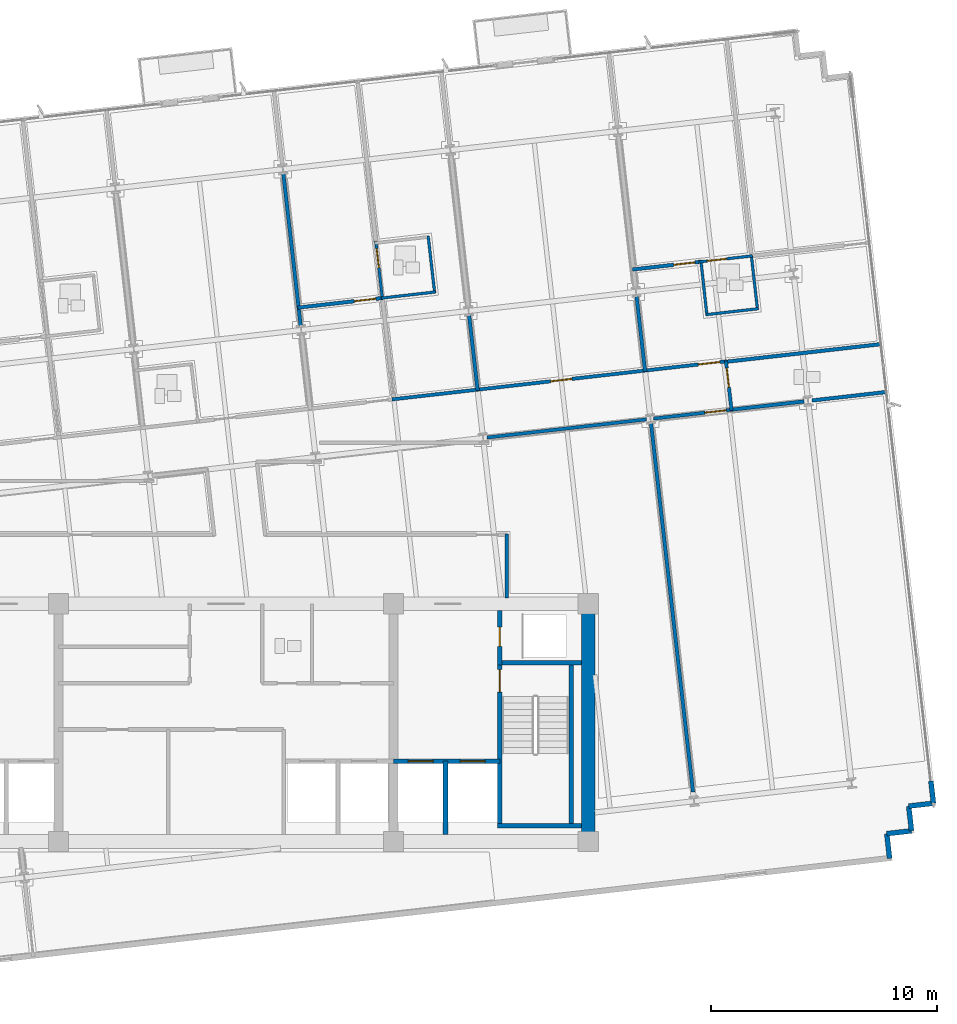
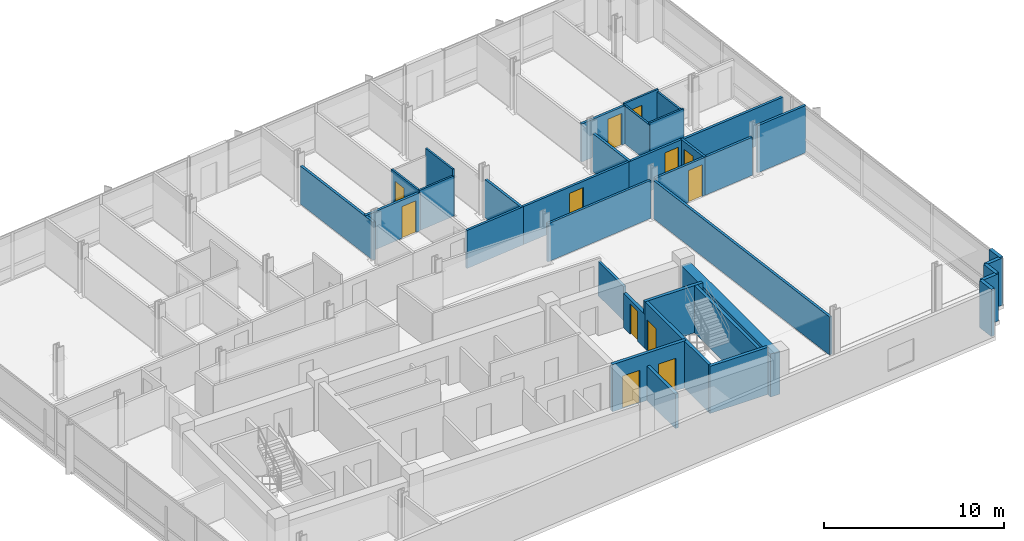
# One storey, part 10 of 16: 36 walls, 12 doors, 12 openings.
"""IFC4 building model written with IfcOpenShell, lengths in metres."""

from ifc_helpers import new_model, si_unit, direction, frame, frame_2d, origin, place, context, subcontext, project, spatial, rectangle, extrude, material, layer, layer_set, type_object, element, fill, save


model = new_model("IFC4")

# Units and contexts
model_context = context("Model", 3, precision=1e-05, world=origin(), true_north=direction((0.0, 1.0)))
body_context = subcontext(model_context, "Body", "Model", "MODEL_VIEW")
ifc_project = project(units=[si_unit("LENGTHUNIT", "METRE"), si_unit("AREAUNIT", "SQUARE_METRE"), si_unit("VOLUMEUNIT", "CUBIC_METRE"), si_unit("PLANEANGLEUNIT", "RADIAN"), si_unit("MASSUNIT", "GRAM", prefix="KILO")], contexts=[model_context])

# Site, building, storey
site_placement = place(None, origin())
site = spatial("IfcSite", under=ifc_project, at=site_placement, CompositionType="ELEMENT")
building_placement = place(site_placement, origin())
building = spatial("IfcBuilding", under=site, at=building_placement, Name="Solmavex Isthmus Hotel", CompositionType="ELEMENT")
storey_placement = place(building_placement, frame((0.0, 0.0, 205.5)))
storey = spatial("IfcBuildingStorey", under=building, at=storey_placement, Name="L55", CompositionType="ELEMENT", Elevation=205.5)

# Walls
ifc_material_1 = material(Name="Precast Concrete C40/50", Category="concrete")
ifc_layer_1 = layer(ifc_material_1, 0.25)
ifc_layer_set_1 = layer_set([ifc_layer_1], Name="Precast Concrete C40/50")
wall_type_1 = type_object("IfcWallType", Name="EW-TWR-250", PredefinedType="STANDARD", material=ifc_layer_set_1)
wall_1_placement = place(storey_placement, frame((31.1474609375, -10.328125, 0.0), z_axis=(0.0, 0.0, 1.0), x_axis=(0.113191877531, -0.993573147212, 0.0)))
element("IfcWall", 1, at=wall_1_placement, inside=storey, type_object=wall_type_1, Name="Serrated Corner Facade Panel L55-21", PredefinedType="STANDARD", context=body_context, shape_type="SweptSolid", body=[
    extrude(rectangle(XDim=0.989990234375, YDim=0.219970703125, at=frame_2d((0.4951171875, 0.0))), origin(), (0.0, 0.0, 1.0), 3.18994140625),
])
wall_2_placement = place(storey_placement, frame((31.259521484375, -11.311767578125, 0.0), z_axis=(0.0, 0.0, 1.0), x_axis=(-0.99357409499, -0.113183557839, 0.0)))
element("IfcWall", 2, at=wall_2_placement, inside=storey, type_object=wall_type_1, Name="Serrated Corner Facade Panel L55-22", PredefinedType="STANDARD", context=body_context, shape_type="SweptSolid", body=[
    extrude(rectangle(XDim=1.10009765625, YDim=0.219970703125, at=frame_2d((0.550048828125, 0.0))), origin(), (0.0, 0.0, 1.0), 3.18994140625),
])
wall_3_placement = place(storey_placement, frame((30.16650390625, -11.436279296875, 0.0), z_axis=(0.0, 0.0, 1.0), x_axis=(0.113427644885, -0.993546259303, 0.0)))
element("IfcWall", 3, at=wall_3_placement, inside=storey, type_object=wall_type_1, Name="Serrated Corner Facade Panel L55-23", PredefinedType="STANDARD", context=body_context, shape_type="SweptSolid", body=[
    extrude(rectangle(XDim=1.099853515625, YDim=0.219970703125, at=frame_2d((0.5498046875, 0.0))), origin(), (0.0, 0.0, 1.0), 3.18994140625),
])
for number, where, z_axis, x_axis, name in (
    (4, (30.291259765625, -12.529052734375, 0.0), (0.0, 0.0, 1.0), (-0.99357409499, -0.113183557839, 0.0), "Serrated Corner Facade Panel L55-24"),
    (5, (29.1982421875, -12.653564453125, 0.0), (0.0, 0.0, 1.0), (0.113183557839, -0.99357409499, 0.0), "Serrated Corner Facade Panel L55-25"),
):
    element("IfcWall", number, at=place(storey_placement, frame(where, z_axis=z_axis, x_axis=x_axis)), inside=storey, type_object=wall_type_1, Name=name, PredefinedType="STANDARD", context=body_context, shape_type="SweptSolid", body=[
        extrude(rectangle(XDim=1.10009765625, YDim=0.219970703125, at=frame_2d((0.550048828125, 0.0))), origin(), (0.0, 0.0, 1.0), 3.18994140625),
    ])
ifc_material_2 = material(Name="Gypsum plasterboard lining", Category="gypsum")
ifc_layer_2 = layer(ifc_material_2, 0.159912109375)
ifc_layer_set_2 = layer_set([ifc_layer_2], Name="Gypsum plasterboard lining")
wall_type_2 = type_object("IfcWallType", Name="IW-COMP-160", PredefinedType="PARTITIONING", material=ifc_layer_set_2)
wall_4_placement = place(storey_placement, frame((2.533203125, 16.529052734375, 0.0), z_axis=(0.0, 0.0, 1.0), x_axis=(0.11321341463, -0.993570693382, 0.0)))
element("IfcWall", 6, at=wall_4_placement, inside=storey, type_object=wall_type_2, Name="Interior Partition Wall W-L55-P042", PredefinedType="PARTITIONING", context=body_context, shape_type="SweptSolid", body=[
    extrude(rectangle(XDim=6.79931640625, YDim=0.159912109375, at=frame_2d((3.399658203125, 0.0))), origin(), (0.0, 0.0, 1.0), 2.572265625),
])

# Wall, opening, door
wall_5_placement = place(storey_placement, frame((3.169921875, 10.587158203125, 0.0), z_axis=(0.0, 0.0, 1.0), x_axis=(0.993567388358, 0.113242416041, 0.0)))
wall_5 = element("IfcWall", 7, at=wall_5_placement, inside=storey, type_object=wall_type_2, Name="Interior Partition Wall W-L55-P045", PredefinedType="PARTITIONING", context=body_context, shape_type="SweptSolid", body=[
    extrude(rectangle(XDim=3.802978515625, YDim=0.159912109375, at=frame_2d((1.9013671875, 0.0))), origin(), (0.0, 0.0, 1.0), 2.572265625),
])
opening_1_placement = place(wall_5_placement, frame((2.52099609375, 0.0, 0.0)))
opening_1 = element("IfcOpeningElement", 8, at=opening_1_placement, cuts=wall_5, Name="Opening ID-C095", PredefinedType="OPENING", context=body_context, shape_type="SweptSolid", body=[
    extrude(rectangle(XDim=0.949951171875, YDim=2.14990234375, at=frame_2d((0.47509765625, 1.074951171875))), frame((0.0, 0.08984375, 0.0), z_axis=(0.0, -1.0, 0.0), x_axis=(1.0, 0.0, 0.0)), (0.0, 0.0, 1.0), 0.179931640625),
])
ifc_material_3 = material(Name="Hardwood timber", Category="wood")
door_type_1 = type_object("IfcDoorType", Name="IDR-FD60-0950", OperationType="NOTDEFINED", PredefinedType="DOOR", material=ifc_material_3)
door_1_placement = place(opening_1_placement, origin())
door_1 = element("IfcDoor", 9, at=door_1_placement, inside=storey, type_object=door_type_1, Name="Diplomatic Suite Master Bedroom Door L55-09", OperationType="SINGLE_SWING_LEFT", OverallHeight=2.14990234375, OverallWidth=0.949951171875, PredefinedType="DOOR", context=body_context, shape_type="SweptSolid", body=[
    extrude(rectangle(XDim=0.949951171875, YDim=2.14990234375, at=frame_2d((0.47509765625, 1.074951171875))), frame((0.0, 0.02490234375, 0.0), z_axis=(0.0, -1.0, 0.0), x_axis=(1.0, 0.0, 0.0)), (0.0, 0.0, 1.0), 0.050048828125),
])
fill(opening_1, door_1)

# Walls
wall_6_placement = place(storey_placement, frame((10.740966796875, 10.265869140625, 0.0), z_axis=(0.0, 0.0, 1.0), x_axis=(0.113220917918, -0.993569838384, 0.0)))
element("IfcWall", 10, at=wall_6_placement, inside=storey, type_object=wall_type_2, Name="Interior Partition Wall W-L55-P054", PredefinedType="PARTITIONING", context=body_context, shape_type="SweptSolid", body=[
    extrude(rectangle(XDim=3.36181640625, YDim=0.159912109375, at=frame_2d((1.680908203125, 0.0))), origin(), (0.0, 0.0, 1.0), 2.572265625),
])
wall_7_placement = place(storey_placement, frame((18.13916015625, 11.108642578125, 0.0), z_axis=(0.0, 0.0, 1.0), x_axis=(0.113229088195, -0.993568907317, 0.0)))
element("IfcWall", 11, at=wall_7_placement, inside=storey, type_object=wall_type_2, Name="Interior Partition Wall W-L55-P056", PredefinedType="PARTITIONING", context=body_context, shape_type="SweptSolid", body=[
    extrude(rectangle(XDim=3.361572265625, YDim=0.159912109375, at=frame_2d((1.6806640625, 0.0))), origin(), (0.0, 0.0, 1.0), 2.572265625),
])

# Wall, opening, door
wall_8_placement = place(storey_placement, frame((17.96630859375, 12.27294921875, 0.0), z_axis=(0.0, 0.0, 1.0), x_axis=(0.993571907495, 0.113202758961, 0.0)))
wall_8 = element("IfcWall", 12, at=wall_8_placement, inside=storey, type_object=wall_type_2, Name="Interior Partition Wall W-L55-P058", PredefinedType="PARTITIONING", context=body_context, shape_type="SweptSolid", body=[
    extrude(rectangle(XDim=3.083984375, YDim=0.159912109375, at=frame_2d((1.5419921875, 0.0))), origin(), (0.0, 0.0, 1.0), 2.572265625),
])
opening_2_placement = place(wall_8_placement, frame((1.823974609375, 0.0, 0.0)))
opening_2 = element("IfcOpeningElement", 13, at=opening_2_placement, cuts=wall_8, Name="Opening ID-C095", PredefinedType="OPENING", context=body_context, shape_type="SweptSolid", body=[
    extrude(rectangle(XDim=0.949951171875, YDim=2.14990234375, at=frame_2d((0.47509765625, 1.074951171875))), frame((0.0, 0.08984375, 0.0), z_axis=(0.0, -1.0, 0.0), x_axis=(1.0, 0.0, 0.0)), (0.0, 0.0, 1.0), 0.179931640625),
])
door_2_placement = place(opening_2_placement, origin())
door_2 = element("IfcDoor", 14, at=door_2_placement, inside=storey, type_object=door_type_1, Name="Diplomatic Hospitality Suite Bedroom Door L55-14", OperationType="SINGLE_SWING_RIGHT", OverallHeight=2.14990234375, OverallWidth=0.949951171875, PredefinedType="DOOR", context=body_context, shape_type="SweptSolid", body=[
    extrude(rectangle(XDim=0.949951171875, YDim=2.14990234375, at=frame_2d((0.47509765625, 1.074951171875))), frame((0.0, 0.02490234375, 0.0), z_axis=(0.0, -1.0, 0.0), x_axis=(1.0, 0.0, 0.0)), (0.0, 0.0, 1.0), 0.050048828125),
])
fill(opening_2, door_2)

# Walls
wall_9_placement = place(storey_placement, frame((28.977783203125, 8.98046875, 0.0), z_axis=(0.0, 0.0, 1.0), x_axis=(-0.993571800428, -0.113203698681, 0.0)))
element("IfcWall", 15, at=wall_9_placement, inside=storey, type_object=wall_type_2, Name="Interior Partition Wall W-L55-P063", PredefinedType="PARTITIONING", context=body_context, shape_type="SweptSolid", body=[
    extrude(rectangle(XDim=6.968017578125, YDim=0.159912109375, at=frame_2d((3.48388671875, 0.0))), origin(), (0.0, 0.0, 1.0), 2.5576171875),
])
wall_10_placement = place(storey_placement, frame((25.546142578125, 6.44580078125, 0.0), z_axis=(0.0, 0.0, 1.0), x_axis=(-0.993568592225, -0.113231853041, 0.0)))
element("IfcWall", 16, at=wall_10_placement, inside=storey, type_object=wall_type_2, Name="Interior Partition Wall W-L55-P068", PredefinedType="PARTITIONING", context=body_context, shape_type="SweptSolid", body=[
    extrude(rectangle(XDim=3.281494140625, YDim=0.159912109375, at=frame_2d((1.640625, 0.0))), origin(), (0.0, 0.0, 1.0), 2.572265625),
])
wall_11_placement = place(storey_placement, frame((29.21875, 6.864013671875, 0.0), z_axis=(0.0, 0.0, 1.0), x_axis=(-0.993574498496, -0.113180015629, 0.0)))
element("IfcWall", 17, at=wall_11_placement, inside=storey, type_object=wall_type_2, Name="Interior Partition Wall W-L55-P069", PredefinedType="PARTITIONING", context=body_context, shape_type="SweptSolid", body=[
    extrude(rectangle(XDim=3.343505859375, YDim=0.159912109375, at=frame_2d((1.671875, 0.0))), origin(), (0.0, 0.0, 1.0), 3.18994140625),
])
wall_12_placement = place(storey_placement, frame((18.778564453125, 5.4970703125, 0.0), z_axis=(0.0, 0.0, 1.0), x_axis=(0.113193364489, -0.993572977811, 0.0)))
element("IfcWall", 18, at=wall_12_placement, inside=storey, type_object=wall_type_2, Name="Interior Partition Wall W-L55-P073", PredefinedType="PARTITIONING", context=body_context, shape_type="SweptSolid", body=[
    extrude(rectangle(XDim=16.41357421875, YDim=0.159912109375, at=frame_2d((8.206787109375, 0.0))), origin(), (0.0, 0.0, 1.0), 2.572265625),
])
ifc_layer_3 = layer(ifc_material_2, 0.14990234375)
ifc_layer_set_3 = layer_set([ifc_layer_3], Name="Gypsum plasterboard lining")
wall_type_3 = type_object("IfcWallType", Name="IW-CORR-150", PredefinedType="PARTITIONING", material=ifc_layer_set_3)
wall_13_placement = place(storey_placement, frame((7.33642578125, 6.534912109375, 0.0), z_axis=(0.0, 0.0, 1.0), x_axis=(0.993574309552, 0.113181674304, 0.0)))
element("IfcWall", 19, at=wall_13_placement, inside=storey, type_object=wall_type_3, Name="Interior Partition Wall W-L55-P007", PredefinedType="PARTITIONING", context=body_context, shape_type="SweptSolid", body=[
    extrude(rectangle(XDim=3.886962890625, YDim=0.14990234375, at=frame_2d((1.943359375, 0.0))), origin(), (0.0, 0.0, 1.0), 2.572265625),
])

# Wall, opening, door
wall_14_placement = place(storey_placement, frame((11.03564453125, 6.956298828125, 0.0), z_axis=(0.0, 0.0, 1.0), x_axis=(0.993570360949, 0.113216332056, 0.0)))
wall_14 = element("IfcWall", 20, at=wall_14_placement, inside=storey, type_object=wall_type_3, Name="Interior Partition Wall W-L55-P008", PredefinedType="PARTITIONING", context=body_context, shape_type="SweptSolid", body=[
    extrude(rectangle(XDim=7.60986328125, YDim=0.14990234375, at=frame_2d((3.804931640625, 0.0))), origin(), (0.0, 0.0, 1.0), 2.572265625),
])
opening_3_placement = place(wall_14_placement, frame((3.330078125, 0.0, 0.0)))
opening_3 = element("IfcOpeningElement", 21, at=opening_3_placement, cuts=wall_14, Name="Opening ID-C095", PredefinedType="OPENING", context=body_context, shape_type="SweptSolid", body=[
    extrude(rectangle(XDim=0.949951171875, YDim=2.14990234375, at=frame_2d((0.47509765625, 1.074951171875))), frame((0.0, 0.0849609375, 0.0), z_axis=(0.0, -1.0, 0.0), x_axis=(1.0, 0.0, 0.0)), (0.0, 0.0, 1.0), 0.169921875),
])
door_3_placement = place(opening_3_placement, origin())
door_3 = element("IfcDoor", 22, at=door_3_placement, inside=storey, type_object=door_type_1, Name="Summit Dining Room Door L55-12", OperationType="SINGLE_SWING_RIGHT", OverallHeight=2.14990234375, OverallWidth=0.949951171875, PredefinedType="DOOR", context=body_context, shape_type="SweptSolid", body=[
    extrude(rectangle(XDim=0.949951171875, YDim=2.14990234375, at=frame_2d((0.47509765625, 1.074951171875))), frame((0.0, 0.02490234375, 0.0), z_axis=(0.0, -1.0, 0.0), x_axis=(1.0, 0.0, 0.0)), (0.0, 0.0, 1.0), 0.050048828125),
])
fill(opening_3, door_3)

wall_15_placement = place(storey_placement, frame((18.43359375, 7.79931640625, 0.0), z_axis=(0.0, 0.0, 1.0), x_axis=(0.993578468541, 0.11314515832, 0.0)))
wall_15 = element("IfcWall", 23, at=wall_15_placement, inside=storey, type_object=wall_type_3, Name="Interior Partition Wall W-L55-P009", PredefinedType="PARTITIONING", context=body_context, shape_type="SweptSolid", body=[
    extrude(rectangle(XDim=3.72216796875, YDim=0.14990234375, at=frame_2d((1.861083984375, 0.0))), origin(), (0.0, 0.0, 1.0), 2.572265625),
])
opening_4_placement = place(wall_15_placement, frame((2.456787109375, 0.0, 0.0)))
opening_4 = element("IfcOpeningElement", 24, at=opening_4_placement, cuts=wall_15, Name="Opening ID-C095", PredefinedType="OPENING", context=body_context, shape_type="SweptSolid", body=[
    extrude(rectangle(XDim=0.949951171875, YDim=2.14990234375, at=frame_2d((0.47509765625, 1.074951171875))), frame((0.0, 0.0849609375, 0.0), z_axis=(0.0, -1.0, 0.0), x_axis=(1.0, 0.0, 0.0)), (0.0, 0.0, 1.0), 0.169921875),
])
door_4_placement = place(opening_4_placement, origin())
door_4 = element("IfcDoor", 25, at=door_4_placement, inside=storey, type_object=door_type_1, Name="Diplomatic Hospitality Suite Reception Foyer Door L55-13", OperationType="SINGLE_SWING_LEFT", OverallHeight=2.14990234375, OverallWidth=0.949951171875, PredefinedType="DOOR", context=body_context, shape_type="SweptSolid", body=[
    extrude(rectangle(XDim=0.949951171875, YDim=2.14990234375, at=frame_2d((0.47509765625, 1.074951171875))), frame((0.0, 0.02490234375, 0.0), z_axis=(0.0, -1.0, 0.0), x_axis=(1.0, 0.0, 0.0)), (0.0, 0.0, 1.0), 0.050048828125),
])
fill(opening_4, door_4)

wall_16_placement = place(storey_placement, frame((22.08984375, 8.23583984375, 0.0), z_axis=(0.0, 0.0, 1.0), x_axis=(0.113122854389, -0.993581008179, 0.0)))
wall_16 = element("IfcWall", 26, at=wall_16_placement, inside=storey, type_object=wall_type_3, Name="Interior Partition Wall W-L55-P011", PredefinedType="PARTITIONING", context=body_context, shape_type="SweptSolid", body=[
    extrude(rectangle(XDim=2.2099609375, YDim=0.14990234375, at=frame_2d((1.10498046875, 0.0))), origin(), (0.0, 0.0, 1.0), 2.572265625),
])
opening_5_placement = place(wall_16_placement, frame((0.322265625, 0.0, 0.0)))
opening_5 = element("IfcOpeningElement", 27, at=opening_5_placement, cuts=wall_16, Name="Opening ID-R085", PredefinedType="OPENING", context=body_context, shape_type="SweptSolid", body=[
    extrude(rectangle(XDim=0.85009765625, YDim=2.050048828125, at=frame_2d((0.425048828125, 1.02490234375))), frame((0.0, 0.0849609375, 0.0), z_axis=(0.0, -1.0, 0.0), x_axis=(1.0, 0.0, 0.0)), (0.0, 0.0, 1.0), 0.169921875),
])
ifc_material_4 = material(Name="Steel ASTM A500 Grade C", Category="steel")
door_type_2 = type_object("IfcDoorType", Name="IDR-FD60-0850", OperationType="NOTDEFINED", PredefinedType="DOOR", material=ifc_material_4)
door_5_placement = place(opening_5_placement, frame((0.85009765625, 0.0, 0.0), z_axis=(0.0, 0.0, 1.0), x_axis=(-1.0, 0.0, 0.0)))
door_5 = element("IfcDoor", 28, at=door_5_placement, inside=storey, type_object=door_type_2, Name="Public Restroom WC Door L55-18", OperationType="SINGLE_SWING_RIGHT", OverallHeight=2.050048828125, OverallWidth=0.85009765625, PredefinedType="DOOR", context=body_context, shape_type="SweptSolid", body=[
    extrude(rectangle(XDim=0.85009765625, YDim=2.050048828125, at=frame_2d((0.425048828125, 1.02490234375))), frame((0.0, 0.02490234375, 0.0), z_axis=(0.0, -1.0, 0.0), x_axis=(1.0, 0.0, 0.0)), (0.0, 0.0, 1.0), 0.050048828125),
])
fill(opening_5, door_5)

# Walls
wall_17_placement = place(storey_placement, frame((18.583251953125, 5.65234375, 0.0), z_axis=(0.0, 0.0, 1.0), x_axis=(-0.993571775172, -0.113203920343, 0.0)))
element("IfcWall", 29, at=wall_17_placement, inside=storey, type_object=wall_type_3, Name="Interior Partition Wall W-L55-P019", PredefinedType="PARTITIONING", context=body_context, shape_type="SweptSolid", body=[
    extrude(rectangle(XDim=7.09326171875, YDim=0.14990234375, at=frame_2d((3.546630859375, 0.0))), origin(), (0.0, 0.0, 1.0), 2.572265625),
])
wall_18_placement = place(storey_placement, frame((12.39990234375, 0.590087890625, 0.0), z_axis=(0.0, 0.0, 1.0), x_axis=(0.0, -1.0, 0.0)))
element("IfcWall", 30, at=wall_18_placement, inside=storey, type_object=wall_type_3, Name="Interior Partition Wall W-L55-P024", PredefinedType="PARTITIONING", context=body_context, shape_type="SweptSolid", body=[
    extrude(rectangle(XDim=2.830078125, YDim=0.14990234375, at=frame_2d((1.4150390625, 0.0))), origin(), (0.0, 0.0, 1.0), 2.324951171875),
])

# Wall, opening, door
wall_19_placement = place(storey_placement, frame((22.375244140625, 6.08447265625, 0.0), z_axis=(0.0, 0.0, 1.0), x_axis=(-0.993568982909, -0.113228424882, 0.0)))
wall_19 = element("IfcWall", 31, at=wall_19_placement, inside=storey, type_object=wall_type_3, Name="Interior Partition Wall W-L55-P025", PredefinedType="PARTITIONING", context=body_context, shape_type="SweptSolid", body=[
    extrude(rectangle(XDim=3.505859375, YDim=0.14990234375, at=frame_2d((1.7529296875, 0.0))), origin(), (0.0, 0.0, 1.0), 2.572265625),
])
opening_6_placement = place(wall_19_placement, frame((0.270751953125, 0.0, 0.0)))
opening_6 = element("IfcOpeningElement", 32, at=opening_6_placement, cuts=wall_19, Name="Opening ID-C095", PredefinedType="OPENING", context=body_context, shape_type="SweptSolid", body=[
    extrude(rectangle(XDim=0.949951171875, YDim=2.14990234375, at=frame_2d((0.47509765625, 1.074951171875))), frame((0.0, 0.0849609375, 0.0), z_axis=(0.0, -1.0, 0.0), x_axis=(1.0, 0.0, 0.0)), (0.0, 0.0, 1.0), 0.169921875),
])
door_6_placement = place(opening_6_placement, origin())
door_6 = element("IfcDoor", 33, at=door_6_placement, inside=storey, type_object=door_type_1, Name="Protocol Boardroom Door L55-24", OperationType="SINGLE_SWING_RIGHT", OverallHeight=2.14990234375, OverallWidth=0.949951171875, PredefinedType="DOOR", context=body_context, shape_type="SweptSolid", body=[
    extrude(rectangle(XDim=0.949951171875, YDim=2.14990234375, at=frame_2d((0.47509765625, 1.074951171875))), frame((0.0, 0.02490234375, 0.0), z_axis=(0.0, -1.0, 0.0), x_axis=(1.0, 0.0, 0.0)), (0.0, 0.0, 1.0), 0.050048828125),
])
fill(opening_6, door_6)

ifc_layer_4 = layer(ifc_material_2, 0.1201171875)
ifc_layer_set_4 = layer_set([ifc_layer_4], Name="Gypsum plasterboard lining")
wall_type_4 = type_object("IfcWallType", Name="IW-PART-120", PredefinedType="PARTITIONING", material=ifc_layer_set_4)
wall_20_placement = place(storey_placement, frame((6.6220703125, 13.529052734375, 0.0), z_axis=(0.0, 0.0, 1.0), x_axis=(0.113233389532, -0.993568417118, 0.0)))
wall_20 = element("IfcWall", 34, at=wall_20_placement, inside=storey, type_object=wall_type_4, Name="Interior Partition Wall W-L55-P048", PredefinedType="PARTITIONING", context=body_context, shape_type="SweptSolid", body=[
    extrude(rectangle(XDim=2.572265625, YDim=0.1201171875, at=frame_2d((1.2861328125, 0.0))), origin(), (0.0, 0.0, 1.0), 2.718017578125),
])
opening_7_placement = place(wall_20_placement, frame((0.337646484375, 0.0, 0.0)))
opening_7 = element("IfcOpeningElement", 35, at=opening_7_placement, cuts=wall_20, Name="Opening ID-U085", PredefinedType="OPENING", context=body_context, shape_type="SweptSolid", body=[
    extrude(rectangle(XDim=0.85009765625, YDim=2.10009765625, at=frame_2d((0.425048828125, 1.050048828125))), frame((0.0, 0.070068359375, 0.0), z_axis=(0.0, -1.0, 0.0), x_axis=(1.0, 0.0, 0.0)), (0.0, 0.0, 1.0), 0.14013671875),
])
door_type_3 = type_object("IfcDoorType", Name="IDR-UNR-0850", OperationType="NOTDEFINED", PredefinedType="DOOR", material=ifc_material_3)
door_7_placement = place(opening_7_placement, origin())
door_7 = element("IfcDoor", 36, at=door_7_placement, inside=storey, type_object=door_type_3, Name="En-suite Bathroom Door L55-11", OperationType="SINGLE_SWING_LEFT", OverallHeight=2.10009765625, OverallWidth=0.85009765625, PredefinedType="DOOR", context=body_context, shape_type="SweptSolid", body=[
    extrude(rectangle(XDim=0.85009765625, YDim=2.10009765625, at=frame_2d((0.425048828125, 1.050048828125))), frame((0.0, 0.02490234375, 0.0), z_axis=(0.0, -1.0, 0.0), x_axis=(1.0, 0.0, 0.0)), (0.0, 0.0, 1.0), 0.050048828125),
])
fill(opening_7, door_7)

# Walls
wall_21_placement = place(storey_placement, frame((6.869140625, 11.0087890625, 0.0), z_axis=(0.0, 0.0, 1.0), x_axis=(0.993573870401, 0.113185529362, 0.0)))
element("IfcWall", 37, at=wall_21_placement, inside=storey, type_object=wall_type_4, Name="Interior Partition Wall W-L55-P049", PredefinedType="PARTITIONING", context=body_context, shape_type="SweptSolid", body=[
    extrude(rectangle(XDim=2.40283203125, YDim=0.1201171875, at=frame_2d((1.201416015625, 0.0))), origin(), (0.0, 0.0, 1.0), 2.718017578125),
])
wall_22_placement = place(storey_placement, frame((9.221435546875, 11.236328125, 0.0), z_axis=(0.0, 0.0, 1.0), x_axis=(-0.113184642947, 0.993573971379, 0.0)))
element("IfcWall", 38, at=wall_22_placement, inside=storey, type_object=wall_type_4, Name="Interior Partition Wall W-L55-P050", PredefinedType="PARTITIONING", context=body_context, shape_type="SweptSolid", body=[
    extrude(rectangle(XDim=2.5302734375, YDim=0.1201171875, at=frame_2d((1.26513671875, 0.0))), origin(), (0.0, 0.0, 1.0), 3.18994140625),
])
wall_23_placement = place(storey_placement, frame((20.986328125, 12.657470703125, 0.0), z_axis=(0.0, 0.0, 1.0), x_axis=(0.10900891826, -0.994040771669, 0.0)))
element("IfcWall", 39, at=wall_23_placement, inside=storey, type_object=wall_type_4, Name="Interior Partition Wall W-L55-P060", PredefinedType="PARTITIONING", context=body_context, shape_type="SweptSolid", body=[
    extrude(rectangle(XDim=2.429931640625, YDim=0.1201171875, at=frame_2d((1.21484375, 0.0))), origin(), (0.0, 0.0, 1.0), 2.572265625),
])
wall_24_placement = place(storey_placement, frame((21.20703125, 10.277099609375, 0.0), z_axis=(0.0, 0.0, 1.0), x_axis=(0.99357583204, 0.113168308226, 0.0)))
element("IfcWall", 40, at=wall_24_placement, inside=storey, type_object=wall_type_4, Name="Interior Partition Wall W-L55-P061", PredefinedType="PARTITIONING", context=body_context, shape_type="SweptSolid", body=[
    extrude(rectangle(XDim=2.329833984375, YDim=0.1201171875, at=frame_2d((1.1650390625, 0.0))), origin(), (0.0, 0.0, 1.0), 2.718017578125),
])
wall_25_placement = place(storey_placement, frame((23.48681640625, 10.49658203125, 0.0), z_axis=(0.0, 0.0, 1.0), x_axis=(-0.113232053563, 0.993568569373, 0.0)))
element("IfcWall", 41, at=wall_25_placement, inside=storey, type_object=wall_type_4, Name="Interior Partition Wall W-L55-P062", PredefinedType="PARTITIONING", context=body_context, shape_type="SweptSolid", body=[
    extrude(rectangle(XDim=2.429931640625, YDim=0.1201171875, at=frame_2d((1.21484375, 0.0))), origin(), (0.0, 0.0, 1.0), 2.572265625),
])

# Wall, opening, door
wall_26_placement = place(storey_placement, frame((23.256103515625, 12.875732421875, 0.0), z_axis=(0.0, 0.0, 1.0), x_axis=(-0.99357109585, -0.113209882477, 0.0)))
wall_26 = element("IfcWall", 42, at=wall_26_placement, inside=storey, type_object=wall_type_4, Name="Interior Partition Wall W-L55-P065", PredefinedType="PARTITIONING", context=body_context, shape_type="SweptSolid", body=[
    extrude(rectangle(XDim=2.3720703125, YDim=0.1201171875, at=frame_2d((1.18603515625, 0.0))), origin(), (0.0, 0.0, 1.0), 2.718017578125),
])
opening_8_placement = place(wall_26_placement, frame((1.14599609375, 0.0, 0.0)))
opening_8 = element("IfcOpeningElement", 43, at=opening_8_placement, cuts=wall_26, Name="Opening ID-U085", PredefinedType="OPENING", context=body_context, shape_type="SweptSolid", body=[
    extrude(rectangle(XDim=0.85009765625, YDim=2.10009765625, at=frame_2d((0.425048828125, 1.050048828125))), frame((0.0, 0.070068359375, 0.0), z_axis=(0.0, -1.0, 0.0), x_axis=(1.0, 0.0, 0.0)), (0.0, 0.0, 1.0), 0.14013671875),
])
door_8_placement = place(opening_8_placement, frame((0.85009765625, 0.0, 0.0), z_axis=(0.0, 0.0, 1.0), x_axis=(-1.0, 0.0, 0.0)))
door_8 = element("IfcDoor", 44, at=door_8_placement, inside=storey, type_object=door_type_3, Name="En-suite Bathroom Door L55-16", OperationType="SINGLE_SWING_RIGHT", OverallHeight=2.10009765625, OverallWidth=0.85009765625, PredefinedType="DOOR", context=body_context, shape_type="SweptSolid", body=[
    extrude(rectangle(XDim=0.85009765625, YDim=2.10009765625, at=frame_2d((0.425048828125, 1.050048828125))), frame((0.0, 0.02490234375, 0.0), z_axis=(0.0, -1.0, 0.0), x_axis=(1.0, 0.0, 0.0)), (0.0, 0.0, 1.0), 0.050048828125),
])
fill(opening_8, door_8)

ifc_material_5 = material(Name="Concrete C40/50", Category="concrete")
ifc_layer_5 = layer(ifc_material_5, 0.199951171875)
ifc_layer_set_5 = layer_set([ifc_layer_5], Name="Concrete C40/50")
wall_type_5 = type_object("IfcWallType", Name="IW-SHAFT-200", PredefinedType="PARTITIONING", material=ifc_layer_set_5)
wall_27_placement = place(storey_placement, frame((12.10009765625, -5.199951171875, 0.0), z_axis=(0.0, 0.0, 1.0), x_axis=(0.0, 1.0, 0.0)))
wall_27 = element("IfcWall", 45, at=wall_27_placement, inside=storey, type_object=wall_type_5, Name="Interior Partition Wall W-L55-RSE-W", PredefinedType="PARTITIONING", context=body_context, shape_type="SweptSolid", body=[
    extrude(rectangle(XDim=2.39990234375, YDim=0.199951171875, at=frame_2d((1.199951171875, 0.0))), origin(), (0.0, 0.0, 1.0), 2.324951171875),
])
opening_9_placement = place(wall_27_placement, frame((0.824951171875, 0.0, 0.0)))
opening_9 = element("IfcOpeningElement", 46, at=opening_9_placement, cuts=wall_27, Name="Opening ID-R085", PredefinedType="OPENING", context=body_context, shape_type="SweptSolid", body=[
    extrude(rectangle(XDim=0.85009765625, YDim=2.050048828125, at=frame_2d((0.425048828125, 1.02490234375))), frame((0.0, 0.10986328125, 0.0), z_axis=(0.0, -1.0, 0.0), x_axis=(1.0, 0.0, 0.0)), (0.0, 0.0, 1.0), 0.219970703125),
])
door_9_placement = place(opening_9_placement, frame((0.85009765625, 0.0, 0.0), z_axis=(0.0, 0.0, 1.0), x_axis=(-1.0, 0.0, 0.0)))
door_9 = element("IfcDoor", 47, at=door_9_placement, inside=storey, type_object=door_type_2, Name="Mechanical Riser Door L55", OperationType="SINGLE_SWING_LEFT", OverallHeight=2.050048828125, OverallWidth=0.85009765625, PredefinedType="DOOR", context=body_context, shape_type="SweptSolid", body=[
    extrude(rectangle(XDim=0.85009765625, YDim=2.050048828125, at=frame_2d((0.425048828125, 1.02490234375))), frame((0.0, 0.02490234375, 0.0), z_axis=(0.0, -1.0, 0.0), x_axis=(1.0, 0.0, 0.0)), (0.0, 0.0, 1.0), 0.050048828125),
])
fill(opening_9, door_9)

# Wall, openings, doors
wall_28_placement = place(storey_placement, frame((7.39990234375, -9.449951171875, 0.0), z_axis=(0.0, 0.0, 1.0), x_axis=(1.0, 0.0, 0.0)))
wall_28 = element("IfcWall", 48, at=wall_28_placement, inside=storey, type_object=wall_type_5, Name="Interior Partition Wall W-L55-FFLE-S", PredefinedType="PARTITIONING", context=body_context, shape_type="SweptSolid", body=[
    extrude(rectangle(XDim=4.7001953125, YDim=0.199951171875, at=frame_2d((2.35009765625, 0.0))), origin(), (0.0, 0.0, 1.0), 3.18994140625),
])
opening_10_placement = place(wall_28_placement, frame((2.949951171875, 0.0, 0.0)))
opening_10 = element("IfcOpeningElement", 49, at=opening_10_placement, cuts=wall_28, Name="Opening LD-FF", PredefinedType="OPENING", context=body_context, shape_type="SweptSolid", body=[
    extrude(rectangle(XDim=1.10009765625, YDim=2.199951171875, at=frame_2d((0.550048828125, 1.10009765625))), frame((0.0, 0.10986328125, 0.0), z_axis=(0.0, -1.0, 0.0), x_axis=(1.0, 0.0, 0.0)), (0.0, 0.0, 1.0), 0.219970703125),
])
opening_11_placement = place(wall_28_placement, frame((0.64990234375, 0.0, 0.0)))
opening_11 = element("IfcOpeningElement", 50, at=opening_11_placement, cuts=wall_28, Name="Opening LD-SV", PredefinedType="OPENING", context=body_context, shape_type="SweptSolid", body=[
    extrude(rectangle(XDim=1.10009765625, YDim=2.199951171875, at=frame_2d((0.550048828125, 1.10009765625))), frame((0.0, 0.10986328125, 0.0), z_axis=(0.0, -1.0, 0.0), x_axis=(1.0, 0.0, 0.0)), (0.0, 0.0, 1.0), 0.219970703125),
])
ifc_material_6 = material(Name="Stainless steel 316", Category="steel")
door_type_4 = type_object("IfcDoorType", Name="LDR-FF-1100", OperationType="NOTDEFINED", PredefinedType="DOOR", material=ifc_material_6)
door_10_placement = place(opening_10_placement, origin())
door_10 = element("IfcDoor", 51, at=door_10_placement, inside=storey, type_object=door_type_4, Name="Lift Landing Door FFL-2 L55", OperationType="SLIDING_TO_LEFT", OverallHeight=2.199951171875, OverallWidth=1.10009765625, PredefinedType="DOOR", context=body_context, shape_type="SweptSolid", body=[
    extrude(rectangle(XDim=1.10009765625, YDim=2.199951171875, at=frame_2d((0.550048828125, 1.10009765625))), frame((0.0, 0.02490234375, 0.0), z_axis=(0.0, -1.0, 0.0), x_axis=(1.0, 0.0, 0.0)), (0.0, 0.0, 1.0), 0.050048828125),
])
fill(opening_10, door_10)
door_type_5 = type_object("IfcDoorType", Name="LDR-SV-1100", OperationType="NOTDEFINED", PredefinedType="DOOR", material=ifc_material_6)
door_11_placement = place(opening_11_placement, origin())
door_11 = element("IfcDoor", 52, at=door_11_placement, inside=storey, type_object=door_type_5, Name="Lift Landing Door SVL-2 L55", OperationType="SLIDING_TO_RIGHT", OverallHeight=2.199951171875, OverallWidth=1.10009765625, PredefinedType="DOOR", context=body_context, shape_type="SweptSolid", body=[
    extrude(rectangle(XDim=1.10009765625, YDim=2.199951171875, at=frame_2d((0.550048828125, 1.10009765625))), frame((0.0, 0.02490234375, 0.0), z_axis=(0.0, -1.0, 0.0), x_axis=(1.0, 0.0, 0.0)), (0.0, 0.0, 1.0), 0.050048828125),
])
fill(opening_11, door_11)

# Walls
wall_29_placement = place(storey_placement, frame((9.699951171875, -12.699951171875, 0.0), z_axis=(0.0, 0.0, 1.0), x_axis=(0.0, 1.0, 0.0)))
element("IfcWall", 53, at=wall_29_placement, inside=storey, type_object=wall_type_5, Name="Interior Partition Wall W-L55-FFLE-M", PredefinedType="PARTITIONING", context=body_context, shape_type="SweptSolid", body=[
    extrude(rectangle(XDim=3.25, YDim=0.199951171875, at=frame_2d((1.625, 0.0))), origin(), (0.0, 0.0, 1.0), 2.324951171875),
])
ifc_material_7 = material(Name="Concrete C50/60", Category="concrete")
ifc_layer_6 = layer(ifc_material_7, 0.60009765625)
ifc_layer_set_6 = layer_set([ifc_layer_6], Name="Concrete C50/60")
wall_type_6 = type_object("IfcWallType", Name="WALL-CW-600", PredefinedType="SHEAR", material=ifc_layer_set_6)
wall_30_placement = place(storey_placement, frame((16.0, -12.699951171875, 0.0), z_axis=(0.0, 0.0, 1.0), x_axis=(0.0, 1.0, 0.0)))
element("IfcWall", 54, at=wall_30_placement, inside=storey, type_object=wall_type_6, Name="Core Shear Wall East L55", PredefinedType="SHEAR", context=body_context, shape_type="SweptSolid", body=[
    extrude(rectangle(XDim=9.89990234375, YDim=0.60009765625, at=frame_2d((4.949951171875, 0.0))), origin(), (0.0, 0.0, 1.0), 2.909912109375),
])
ifc_layer_7 = layer(ifc_material_5, 0.199951171875)
ifc_layer_set_7 = layer_set([ifc_layer_7], Name="Concrete C40/50")
wall_type_7 = type_object("IfcWallType", Name="WALL-SW-200", PredefinedType="SOLIDWALL", material=ifc_layer_set_7)
for number, where, z_axis, x_axis, name in (
    (55, (12.0, -12.300048828125, 0.0), (0.0, 0.0, 1.0), (1.0, 0.0, 0.0), "Stairwell Structural Wall SW-L55-ST2-S"),
    (56, (12.0, -5.10009765625, 0.0), (0.0, 0.0, 1.0), (1.0, 0.0, 0.0), "Stairwell Structural Wall SW-L55-ST2-N"),
):
    element("IfcWall", number, at=place(storey_placement, frame(where, z_axis=z_axis, x_axis=x_axis)), inside=storey, type_object=wall_type_7, Name=name, PredefinedType="SOLIDWALL", context=body_context, shape_type="SweptSolid", body=[
        extrude(rectangle(XDim=3.699951171875, YDim=0.199951171875, at=frame_2d((1.85009765625, 0.0))), origin(), (0.0, 0.0, 1.0), 3.18994140625),
    ])

# Wall, opening, door
wall_31_placement = place(storey_placement, frame((12.10009765625, -12.199951171875, 0.0), z_axis=(0.0, 0.0, 1.0), x_axis=(0.0, 1.0, 0.0)))
wall_31 = element("IfcWall", 57, at=wall_31_placement, inside=storey, type_object=wall_type_7, Name="Stairwell Structural Wall SW-L55-ST2-W", PredefinedType="SOLIDWALL", context=body_context, shape_type="SweptSolid", body=[
    extrude(rectangle(XDim=7.0, YDim=0.199951171875, at=frame_2d((3.5, 0.0))), origin(), (0.0, 0.0, 1.0), 3.18994140625),
])
opening_12_placement = place(wall_31_placement, frame((5.800048828125, 0.0, 0.0)))
opening_12 = element("IfcOpeningElement", 58, at=opening_12_placement, cuts=wall_31, Name="Opening ID-F100", PredefinedType="OPENING", context=body_context, shape_type="SweptSolid", body=[
    extrude(rectangle(XDim=1.0, YDim=2.10009765625, at=frame_2d((0.5, 1.050048828125))), frame((0.0, 0.10986328125, 0.0), z_axis=(0.0, -1.0, 0.0), x_axis=(1.0, 0.0, 0.0)), (0.0, 0.0, 1.0), 0.219970703125),
])
door_type_6 = type_object("IfcDoorType", Name="IDR-FD90-1000", OperationType="NOTDEFINED", PredefinedType="DOOR", material=ifc_material_4)
door_12_placement = place(opening_12_placement, origin())
door_12 = element("IfcDoor", 59, at=door_12_placement, inside=storey, type_object=door_type_6, Name="Stair ST-2 Fire Door L55", OperationType="SINGLE_SWING_RIGHT", OverallHeight=2.10009765625, OverallWidth=1.0, PredefinedType="DOOR", context=body_context, shape_type="SweptSolid", body=[
    extrude(rectangle(XDim=1.0, YDim=2.10009765625, at=frame_2d((0.5, 1.050048828125))), frame((0.0, 0.02490234375, 0.0), z_axis=(0.0, -1.0, 0.0), x_axis=(1.0, 0.0, 0.0)), (0.0, 0.0, 1.0), 0.050048828125),
])
fill(opening_12, door_12)

# Wall
wall_32_placement = place(storey_placement, frame((15.25, -12.199951171875, 0.0), z_axis=(0.0, 0.0, 1.0), x_axis=(0.0, 1.0, 0.0)))
element("IfcWall", 60, at=wall_32_placement, inside=storey, type_object=wall_type_7, Name="Stairwell Structural Wall SW-L55-ST2-E", PredefinedType="SOLIDWALL", context=body_context, shape_type="SweptSolid", body=[
    extrude(rectangle(XDim=7.0, YDim=0.199951171875, at=frame_2d((3.5, 0.0))), origin(), (0.0, 0.0, 1.0), 3.18994140625),
])

save(model, "model.ifc")
